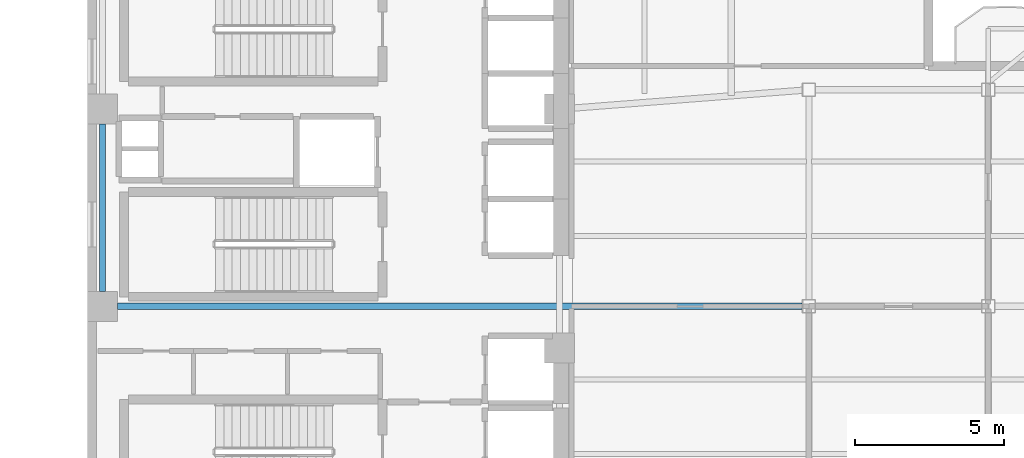
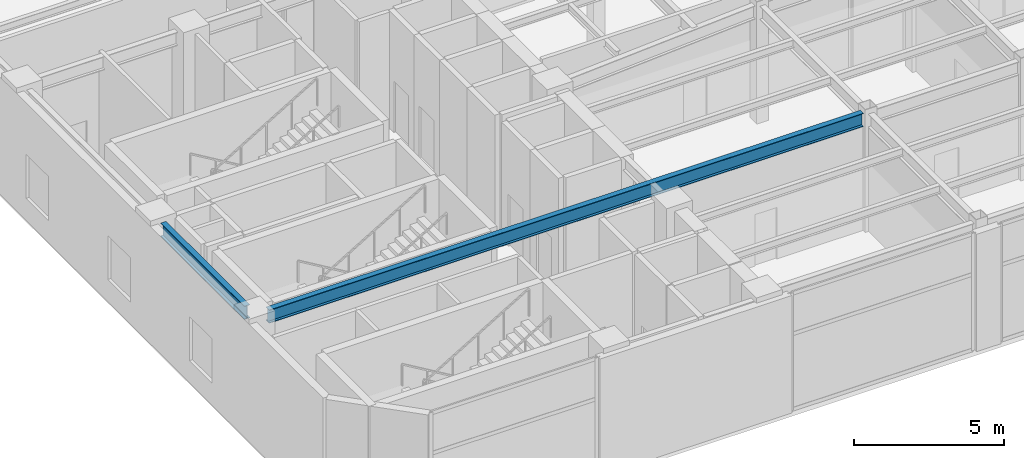
# One storey, part 3 of 16: 2 beams.
"""IFC4 building model written with IfcOpenShell, lengths in metres."""

from ifc_helpers import new_model, si_unit, direction, frame, origin, origin_2d, place, context, subcontext, project, spatial, i_section, extrude, material, material_profile, profile_set, type_object, element, save


model = new_model("IFC4")

# Units and contexts
model_context = context("Model", 3, precision=1e-05, world=origin(), true_north=direction((0.0, 1.0)))
body_context = subcontext(model_context, "Body", "Model", "MODEL_VIEW")
ifc_project = project(units=[si_unit("LENGTHUNIT", "METRE"), si_unit("AREAUNIT", "SQUARE_METRE"), si_unit("VOLUMEUNIT", "CUBIC_METRE"), si_unit("PLANEANGLEUNIT", "RADIAN"), si_unit("MASSUNIT", "GRAM", prefix="KILO")], contexts=[model_context])

# Site, building, storey
site_placement = place(None, origin())
site = spatial("IfcSite", under=ifc_project, at=site_placement, CompositionType="ELEMENT")
building_placement = place(site_placement, origin())
building = spatial("IfcBuilding", under=site, at=building_placement, Name="Mawjaban Terraces University", CompositionType="ELEMENT")
storey_placement = place(building_placement, frame((0.0, 0.0, 170.800048828125)))
storey = spatial("IfcBuildingStorey", under=building, at=storey_placement, Name="L41", CompositionType="ELEMENT", Elevation=170.800048828125)

# Beams
ifc_material = material(Name="Steel ASTM A572 Grade 50", Category="steel")
ifc_material_profile = material_profile(ifc_material, i_section(OverallWidth=0.2119140625, OverallDepth=0.5439453125, WebThickness=0.01318359375, FlangeThickness=0.021240234375, at=origin_2d()), Name="W530X123")
ifc_profile_set = profile_set([ifc_material_profile], Name="Steel ASTM A572 Grade 50")
beam_type = type_object("IfcBeamType", Name="Beam_B_W530X123", PredefinedType="BEAM", material=ifc_profile_set)
beam_1_placement = place(storey_placement, frame((22.85009765625, 7.949951171875, 4.51806640625), z_axis=(1.0, 0.0, 0.0), x_axis=(0.0, 1.0, 0.0)))
element("IfcBeam", 1, at=beam_1_placement, inside=storey, type_object=beam_type, Name="L41 Beam BM-L41-EW-04", PredefinedType="BEAM", context=body_context, shape_type="SweptSolid", body=[
    extrude(i_section(OverallWidth=0.2119140625, OverallDepth=0.5439453125, WebThickness=0.01318359375, FlangeThickness=0.021240234375, at=origin_2d()), origin(), (0.0, 0.0, 1.0), 22.9248046875),
])
beam_2_placement = place(storey_placement, frame((22.35009765625, 8.449951171875, 4.51806640625), z_axis=(0.0, 1.0, 0.0), x_axis=(-1.0, 0.0, 0.0)))
element("IfcBeam", 2, at=beam_2_placement, inside=storey, type_object=beam_type, Name="L41 Beam BM-L41-NS-01", PredefinedType="BEAM", context=body_context, shape_type="SweptSolid", body=[
    extrude(i_section(OverallWidth=0.2119140625, OverallDepth=0.5439453125, WebThickness=0.01318359375, FlangeThickness=0.021240234375, at=origin_2d()), origin(), (0.0, 0.0, 1.0), 5.60009765625),
])

save(model, "model.ifc")
